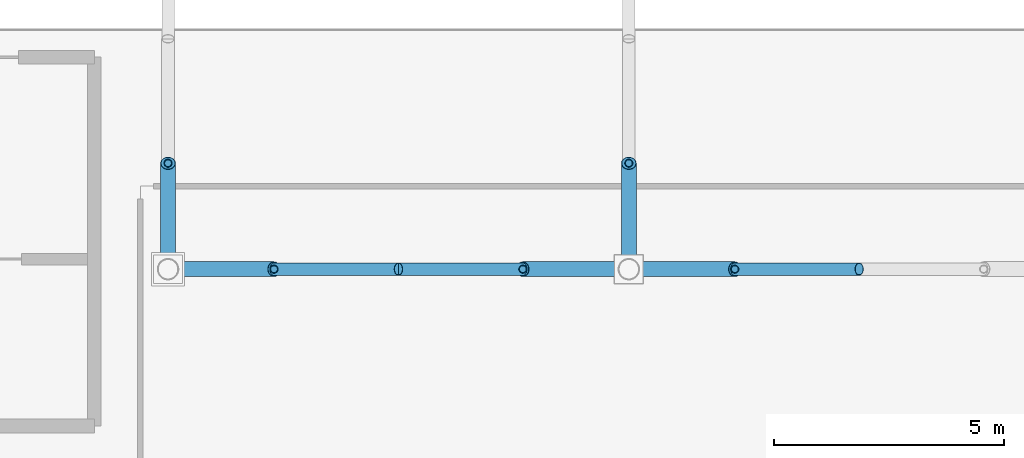
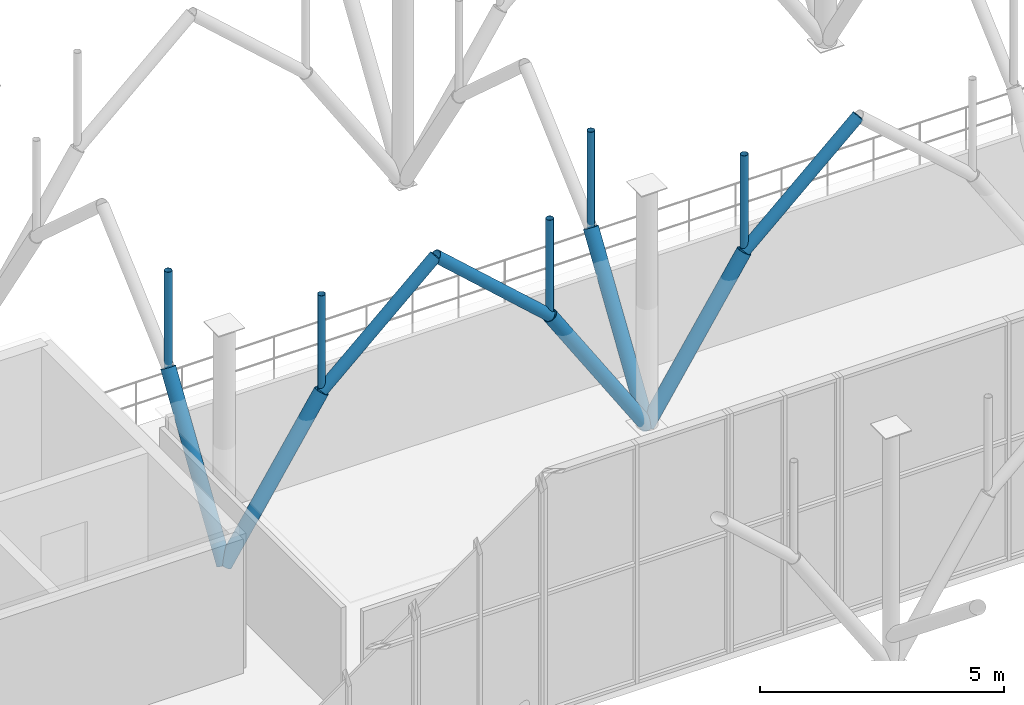
# One storey, part 36 of 109: 13 members.
"""IFC4 building model written with IfcOpenShell, lengths in metres."""

from ifc_helpers import new_model, si_unit, derived_unit, direction, frame, origin, origin_2d_with_axis, place, context, subcontext, project, spatial, hollow_circle, extrude, material, material_profile, profile_set, type_object, element, save


model = new_model("IFC4")

# Units and contexts
model_context = context("Model", 3, precision=1e-05, world=origin(), true_north=direction((0.0, 1.0)))
body_context = subcontext(model_context, "Body", "Model", "MODEL_VIEW")
ifc_project = project(units=[si_unit("LENGTHUNIT", "METRE"), si_unit("AREAUNIT", "SQUARE_METRE"), si_unit("VOLUMEUNIT", "CUBIC_METRE"), si_unit("PLANEANGLEUNIT", "RADIAN"), si_unit("MASSUNIT", "GRAM", prefix="KILO"), derived_unit("THERMALTRANSMITTANCEUNIT", [(si_unit("POWERUNIT", "WATT"), 1), (si_unit("LENGTHUNIT", "METRE"), -2), (si_unit("THERMODYNAMICTEMPERATUREUNIT", "KELVIN"), -1)])], contexts=[model_context])

# Site, building, storey
site_placement = place(None, origin())
site = spatial("IfcSite", under=ifc_project, at=site_placement, CompositionType="ELEMENT")
building_placement = place(site_placement, origin())
building = spatial("IfcBuilding", under=site, at=building_placement, Name="Cinnabar Yard Market Hall", CompositionType="ELEMENT")
storey_placement = place(building_placement, frame((0.0, 0.0, 8.39990234375)))
storey = spatial("IfcBuildingStorey", under=building, at=storey_placement, Name="L02", CompositionType="ELEMENT", Elevation=8.39990234375)

# Members
ifc_material_1 = material(Name="Spotted-gum glulam-clad steel Grade 350 (350 MPa)", Category="steel")
ifc_material_profile_1 = material_profile(ifc_material_1, hollow_circle(Radius=0.136474609375, WallThickness=0.00927734375, at=origin_2d_with_axis()), Name="273.1x9.3CHS")
ifc_profile_set_1 = profile_set([ifc_material_profile_1], Name="Spotted-gum glulam-clad steel Grade 350 (350 MPa)")
member_type_1 = type_object("IfcMemberType", Name="MB-AR01", PredefinedType="USERDEFINED", material=ifc_profile_set_1)
for number, where, z_axis, x_axis, name in (
    (1, (98.300048828125, 24.0, 3.550048828125), (0.743297488271, 0.0, 0.668961018244), (0.0, 1.0, 0.0), "Pointed Arch Rib 0030"),
    (2, (108.300048828125, 24.0, 3.550048828125), (0.743297488271, 0.0, 0.668961018244), (0.0, 1.0, 0.0), "Pointed Arch Rib 0046"),
    (3, (103.699951171875, 24.0, 3.550048828125), (-0.743297488271, 0.0, 0.668961018244), (0.0, -1.0, 0.0), "Pointed Arch Rib 0047"),
):
    element("IfcMember", number, at=place(storey_placement, frame(where, z_axis=z_axis, x_axis=x_axis)), inside=storey, type_object=member_type_1, Name=name, ObjectType="ARCH RIB", PredefinedType="USERDEFINED", context=body_context, shape_type="SweptSolid", body=[
        extrude(hollow_circle(Radius=0.136474609375, WallThickness=0.00927734375, at=origin_2d_with_axis()), origin(), (0.0, 0.0, 1.0), 3.63232421875),
    ])
ifc_material_profile_2 = material_profile(ifc_material_1, hollow_circle(Radius=0.161865234375, WallThickness=0.009521484375, at=origin_2d_with_axis()), Name="323.9x9.5CHS")
ifc_profile_set_2 = profile_set([ifc_material_profile_2], Name="Spotted-gum glulam-clad steel Grade 350 (350 MPa)")
member_type_2 = type_object("IfcMemberType", Name="MB-ST01", PredefinedType="STRUT", material=ifc_profile_set_2)
for number, where, z_axis, x_axis, name in (
    (4, (96.0, 24.0, 0.0), (0.543744165176, 0.0, 0.839251024925), (0.0, 1.0, 0.0), "Curved Branch Arm Lower 0030"),
    (5, (96.0, 24.0, 0.0), (0.0, 0.543744165176, 0.839251024925), (-1.0, 0.0, 0.0), "Curved Branch Arm Lower 0031"),
    (6, (106.0, 24.0, 0.0), (0.543744165176, 0.0, 0.839251024925), (0.0, 1.0, 0.0), "Curved Branch Arm Lower 0046"),
    (7, (106.0, 24.0, 0.0), (-0.543744165176, 0.0, 0.839251024925), (0.0, -1.0, 0.0), "Curved Branch Arm Lower 0047"),
    (8, (106.0, 24.0, 0.0), (0.0, 0.543744165176, 0.839251024925), (-1.0, 0.0, 0.0), "Curved Branch Arm Lower 0048"),
):
    element("IfcMember", number, at=place(storey_placement, frame(where, z_axis=z_axis, x_axis=x_axis)), inside=storey, type_object=member_type_2, Name=name, PredefinedType="STRUT", context=body_context, shape_type="SweptSolid", body=[
        extrude(hollow_circle(Radius=0.161865234375, WallThickness=0.009521484375, at=origin_2d_with_axis()), origin(), (0.0, 0.0, 1.0), 4.22998046875),
    ])
ifc_material_2 = material(Name="Cold-formed steel C350L0", Category="steel")
ifc_material_profile_3 = material_profile(ifc_material_2, hollow_circle(Radius=0.084228515625, WallThickness=0.00634765625, at=origin_2d_with_axis()), Name="168.3x6.4CHS")
ifc_profile_set_3 = profile_set([ifc_material_profile_3], Name="Cold-formed steel C350L0")
member_type_3 = type_object("IfcMemberType", Name="MB-WB01", PredefinedType="STRUT", material=ifc_profile_set_3)
for number, where, z_axis, x_axis, name in (
    (9, (98.300048828125, 24.0, 3.550048828125), (0.0, 0.0, 1.0), (1.0, 0.0, 0.0), "Arch Spandrel Post 0030"),
    (10, (96.0, 26.300048828125, 3.550048828125), (0.0, 0.0, 1.0), (1.0, 0.0, 0.0), "Arch Spandrel Post 0031"),
    (11, (108.300048828125, 24.0, 3.550048828125), (0.0, 0.0, 1.0), (1.0, 0.0, 0.0), "Arch Spandrel Post 0046"),
    (12, (103.699951171875, 24.0, 3.550048828125), (0.0, 0.0, 1.0), (1.0, 0.0, 0.0), "Arch Spandrel Post 0047"),
    (13, (106.0, 26.300048828125, 3.550048828125), (0.0, 0.0, 1.0), (1.0, 0.0, 0.0), "Arch Spandrel Post 0048"),
):
    element("IfcMember", number, at=place(storey_placement, frame(where, z_axis=z_axis, x_axis=x_axis)), inside=storey, type_object=member_type_3, Name=name, PredefinedType="STRUT", context=body_context, shape_type="SweptSolid", body=[
        extrude(hollow_circle(Radius=0.084228515625, WallThickness=0.00634765625, at=origin_2d_with_axis()), origin(), (0.0, 0.0, 1.0), 2.429931640625),
    ])

save(model, "model.ifc")
